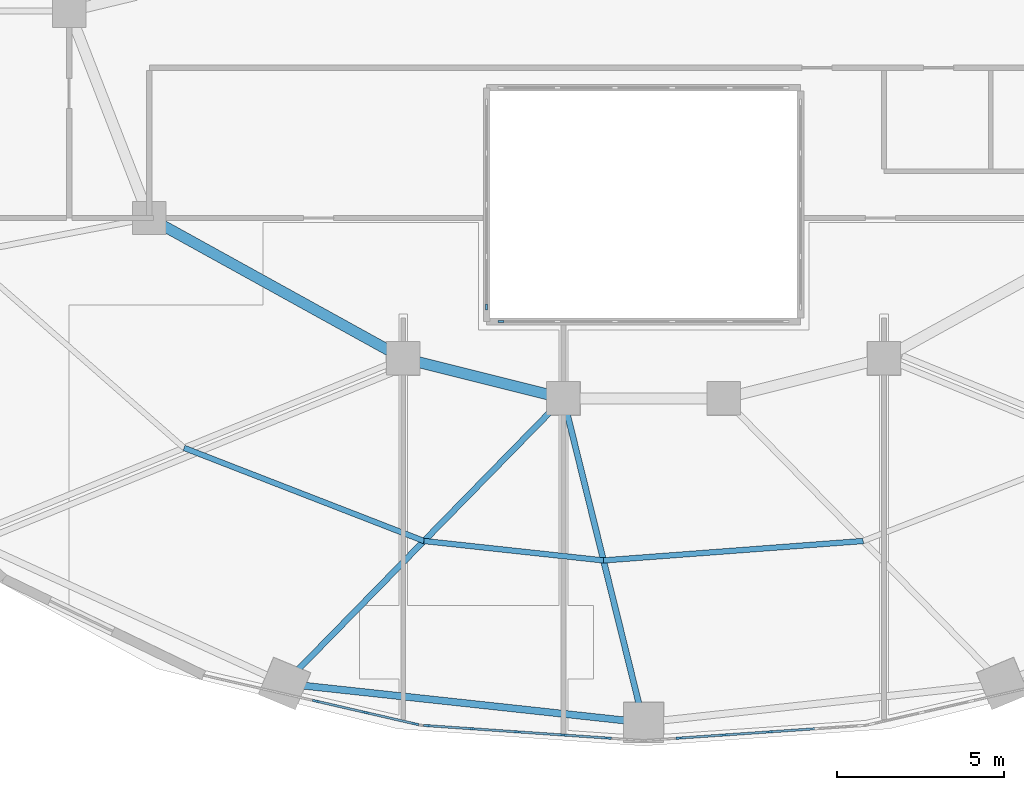
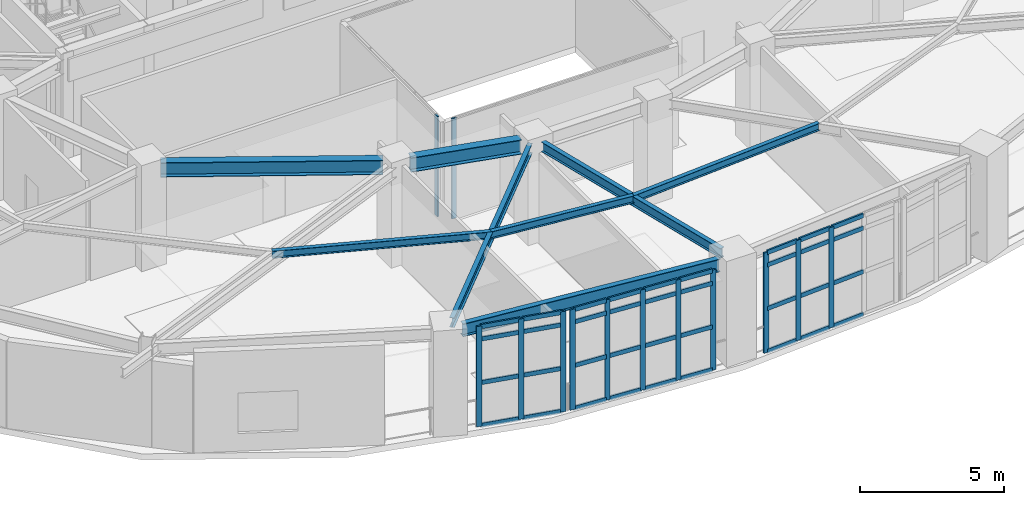
# One storey, part 3 of 13: 49 members, 8 beams, 5 elements without a shape of their own.
"""IFC4 building model written with IfcOpenShell, lengths in metres."""

from ifc_helpers import new_model, si_unit, direction, frame, origin, origin_2d, place, context, subcontext, project, spatial, rectangle, i_section, extrude, material, material_profile, profile_set, type_object, element, aggregate, save


model = new_model("IFC4")

# Units and contexts
model_context = context("Model", 3, precision=1e-05, world=origin(), true_north=direction((0.0, 1.0)))
body_context = subcontext(model_context, "Body", "Model", "MODEL_VIEW")
ifc_project = project(units=[si_unit("LENGTHUNIT", "METRE"), si_unit("AREAUNIT", "SQUARE_METRE"), si_unit("VOLUMEUNIT", "CUBIC_METRE"), si_unit("PLANEANGLEUNIT", "RADIAN"), si_unit("MASSUNIT", "GRAM", prefix="KILO")], contexts=[model_context])

# Site, building, storey
site_placement = place(None, origin())
site = spatial("IfcSite", under=ifc_project, at=site_placement, CompositionType="ELEMENT")
building_placement = place(site_placement, origin())
building = spatial("IfcBuilding", under=site, at=building_placement, Name="Haldorwick Loom Tower", CompositionType="ELEMENT")
storey_placement = place(building_placement, frame((0.0, 0.0, 188.949951171875)))
storey = spatial("IfcBuildingStorey", under=building, at=storey_placement, Name="L51", CompositionType="ELEMENT", Elevation=188.949951171875)

# Curtain wall, member
ifc_material_1 = material(Name="Thermally Broken Anodized Aluminium Curtain Wall Framing", Category="aluminium")
curtain_wall_type_1 = type_object("IfcCurtainWallType", Name="ARC-CW-03", PredefinedType="NOTDEFINED", material=ifc_material_1)
curtain_wall_1_placement = place(storey_placement, origin())
curtain_wall_1 = element("IfcCurtainWall", 1, at=curtain_wall_1_placement, inside=storey, type_object=curtain_wall_type_1, Name="L51 Atrium Glazed Screen S", PredefinedType="NOTDEFINED")
ifc_material_profile_1 = material_profile(ifc_material_1, rectangle(XDim=0.06591796875, YDim=0.18505859375, at=origin_2d()), Name="ALU_MUL_66X185", Category="aluminium")
ifc_profile_set_1 = profile_set([ifc_material_profile_1], Name="Thermally Broken Anodized Aluminium Curtain Wall Framing")
member_type_1 = type_object("IfcMemberType", Name="ARC-CWM-03", PredefinedType="MULLION", material=ifc_profile_set_1)
member_1_placement = place(storey_placement, frame((31.73291015625, 16.699951171875, 0.0), z_axis=(0.0, 0.0, 1.0), x_axis=(0.0, -1.0, 0.0)))
member_1 = element("IfcMember", 2, at=member_1_placement, type_object=member_type_1, Name="CW-03 mullion 6", PredefinedType="MULLION", context=body_context, shape_type="SweptSolid", body=[
    extrude(rectangle(XDim=0.06591796875, YDim=0.18505859375, at=origin_2d()), origin(), (0.0, 0.0, 1.0), 4.260009765625),
])
aggregate(curtain_wall_1, [member_1])

curtain_wall_2_placement = place(storey_placement, origin())
curtain_wall_2 = element("IfcCurtainWall", 3, at=curtain_wall_2_placement, inside=storey, type_object=curtain_wall_type_1, Name="L51 Atrium Glazed Screen W", PredefinedType="NOTDEFINED")
member_2_placement = place(storey_placement, frame((31.300048828125, 17.133056640625, 0.0), z_axis=(0.0, 0.0, 1.0), x_axis=(-1.0, 0.0, 0.0)))
member_2 = element("IfcMember", 4, at=member_2_placement, type_object=member_type_1, Name="CW-03 mullion 1", PredefinedType="MULLION", context=body_context, shape_type="SweptSolid", body=[
    extrude(rectangle(XDim=0.06591796875, YDim=0.18505859375, at=origin_2d()), origin(), (0.0, 0.0, 1.0), 4.260009765625),
])
aggregate(curtain_wall_2, [member_2])

# Curtain wall, members
curtain_wall_type_2 = type_object("IfcCurtainWallType", Name="ARC-CW-05", PredefinedType="NOTDEFINED", material=ifc_material_1)
curtain_wall_3_placement = place(storey_placement, origin())
curtain_wall_3 = element("IfcCurtainWall", 5, at=curtain_wall_3_placement, inside=storey, type_object=curtain_wall_type_2, Name="L51 Facade Curtain Wall CW-05 Bay 17", PredefinedType="NOTDEFINED")
ifc_material_profile_2 = material_profile(ifc_material_1, rectangle(XDim=0.068115234375, YDim=0.201904296875, at=origin_2d()), Name="ALU_MUL_68X202", Category="aluminium")
ifc_profile_set_2 = profile_set([ifc_material_profile_2], Name="Thermally Broken Anodized Aluminium Curtain Wall Framing")
member_type_2 = type_object("IfcMemberType", Name="ARC-CWM-05", PredefinedType="MULLION", material=ifc_profile_set_2)
member_3_placement = place(storey_placement, frame((26.187255859375, 5.336669921875, 0.0), z_axis=(0.0, 0.0, 1.0), x_axis=(0.224141611493, 0.974556585323, 0.0)))
member_3 = element("IfcMember", 6, at=member_3_placement, type_object=member_type_2, Name="CW-05 mullion 1", PredefinedType="MULLION", context=body_context, shape_type="SweptSolid", body=[
    extrude(rectangle(XDim=0.068115234375, YDim=0.201904296875, at=origin_2d()), origin(), (0.0, 0.0, 1.0), 4.260009765625),
])
member_4_placement = place(storey_placement, frame((27.67626953125, 4.994140625, 0.0), z_axis=(0.0, 0.0, 1.0), x_axis=(0.224141611493, 0.974556585323, 0.0)))
member_4 = element("IfcMember", 7, at=member_4_placement, type_object=member_type_2, Name="CW-05 mullion 2", PredefinedType="MULLION", context=body_context, shape_type="SweptSolid", body=[
    extrude(rectangle(XDim=0.068115234375, YDim=0.201904296875, at=origin_2d()), origin(), (0.0, 0.0, 1.0), 4.260009765625),
])
member_5_placement = place(storey_placement, frame((29.1650390625, 4.65185546875, 0.0), z_axis=(0.0, 0.0, 1.0), x_axis=(0.224141611493, 0.974556585323, 0.0)))
member_5 = element("IfcMember", 8, at=member_5_placement, type_object=member_type_2, Name="CW-05 mullion 3", PredefinedType="MULLION", context=body_context, shape_type="SweptSolid", body=[
    extrude(rectangle(XDim=0.068115234375, YDim=0.201904296875, at=origin_2d()), origin(), (0.0, 0.0, 1.0), 4.260009765625),
])

curtain_wall_4_placement = place(storey_placement, origin())
curtain_wall_4 = element("IfcCurtainWall", 9, at=curtain_wall_4_placement, inside=storey, type_object=curtain_wall_type_2, Name="L51 Facade Curtain Wall CW-05 Bay 18", PredefinedType="NOTDEFINED")
member_6_placement = place(storey_placement, frame((29.50830078125, 4.600830078125, 0.0), z_axis=(0.0, 0.0, 1.0), x_axis=(0.068513392431, 0.997650196741, 0.0)))
member_6 = element("IfcMember", 10, at=member_6_placement, type_object=member_type_2, Name="CW-05 mullion 1", PredefinedType="MULLION", context=body_context, shape_type="SweptSolid", body=[
    extrude(rectangle(XDim=0.068115234375, YDim=0.201904296875, at=origin_2d()), origin(), (0.0, 0.0, 1.0), 4.260009765625),
])
member_7_placement = place(storey_placement, frame((30.84716796875, 4.509033203125, 0.0), z_axis=(0.0, 0.0, 1.0), x_axis=(0.068513392431, 0.997650196741, 0.0)))
member_7 = element("IfcMember", 11, at=member_7_placement, type_object=member_type_2, Name="CW-05 mullion 2", PredefinedType="MULLION", context=body_context, shape_type="SweptSolid", body=[
    extrude(rectangle(XDim=0.068115234375, YDim=0.201904296875, at=origin_2d()), origin(), (0.0, 0.0, 1.0), 4.260009765625),
])
member_8_placement = place(storey_placement, frame((32.219970703125, 4.41455078125, 0.0), z_axis=(0.0, 0.0, 1.0), x_axis=(0.068513392431, 0.997650196741, 0.0)))
member_8 = element("IfcMember", 12, at=member_8_placement, type_object=member_type_2, Name="CW-05 mullion 3", PredefinedType="MULLION", context=body_context, shape_type="SweptSolid", body=[
    extrude(rectangle(XDim=0.068115234375, YDim=0.201904296875, at=origin_2d()), origin(), (0.0, 0.0, 1.0), 4.260009765625),
])
member_9_placement = place(storey_placement, frame((33.592529296875, 4.3203125, 0.0), z_axis=(0.0, 0.0, 1.0), x_axis=(0.068513392431, 0.997650196741, 0.0)))
member_9 = element("IfcMember", 13, at=member_9_placement, type_object=member_type_2, Name="CW-05 mullion 4", PredefinedType="MULLION", context=body_context, shape_type="SweptSolid", body=[
    extrude(rectangle(XDim=0.068115234375, YDim=0.201904296875, at=origin_2d()), origin(), (0.0, 0.0, 1.0), 4.260009765625),
])
member_10_placement = place(storey_placement, frame((34.931396484375, 4.228515625, 0.0), z_axis=(0.0, 0.0, 1.0), x_axis=(0.068513392431, 0.997650196741, 0.0)))
member_10 = element("IfcMember", 14, at=member_10_placement, type_object=member_type_2, Name="CW-05 mullion 5", PredefinedType="MULLION", context=body_context, shape_type="SweptSolid", body=[
    extrude(rectangle(XDim=0.068115234375, YDim=0.201904296875, at=origin_2d()), origin(), (0.0, 0.0, 1.0), 4.260009765625),
])

curtain_wall_5_placement = place(storey_placement, origin())
curtain_wall_5 = element("IfcCurtainWall", 15, at=curtain_wall_5_placement, inside=storey, type_object=curtain_wall_type_2, Name="L51 Facade Curtain Wall CW-05 Bay 19", PredefinedType="NOTDEFINED")
member_11_placement = place(storey_placement, frame((37.068603515625, 4.228515625, 0.0), z_axis=(0.0, 0.0, 1.0), x_axis=(-0.068513392431, 0.997650196741, 0.0)))
member_11 = element("IfcMember", 16, at=member_11_placement, type_object=member_type_2, Name="CW-05 mullion 1", PredefinedType="MULLION", context=body_context, shape_type="SweptSolid", body=[
    extrude(rectangle(XDim=0.068115234375, YDim=0.201904296875, at=origin_2d()), origin(), (0.0, 0.0, 1.0), 4.260009765625),
])
member_12_placement = place(storey_placement, frame((38.407470703125, 4.3203125, 0.0), z_axis=(0.0, 0.0, 1.0), x_axis=(-0.068513392431, 0.997650196741, 0.0)))
member_12 = element("IfcMember", 17, at=member_12_placement, type_object=member_type_2, Name="CW-05 mullion 2", PredefinedType="MULLION", context=body_context, shape_type="SweptSolid", body=[
    extrude(rectangle(XDim=0.068115234375, YDim=0.201904296875, at=origin_2d()), origin(), (0.0, 0.0, 1.0), 4.260009765625),
])
member_13_placement = place(storey_placement, frame((39.780029296875, 4.41455078125, 0.0), z_axis=(0.0, 0.0, 1.0), x_axis=(-0.068513392431, 0.997650196741, 0.0)))
member_13 = element("IfcMember", 18, at=member_13_placement, type_object=member_type_2, Name="CW-05 mullion 3", PredefinedType="MULLION", context=body_context, shape_type="SweptSolid", body=[
    extrude(rectangle(XDim=0.068115234375, YDim=0.201904296875, at=origin_2d()), origin(), (0.0, 0.0, 1.0), 4.260009765625),
])

# Member
ifc_material_profile_3 = material_profile(ifc_material_1, rectangle(XDim=0.068115234375, YDim=0.181884765625, at=origin_2d()), Name="ALU_TRN_68X182", Category="aluminium")
ifc_profile_set_3 = profile_set([ifc_material_profile_3], Name="Thermally Broken Anodized Aluminium Curtain Wall Framing")
member_type_3 = type_object("IfcMemberType", Name="ARC-CWT-05", PredefinedType="USERDEFINED", material=ifc_profile_set_3)
member_14_placement = place(storey_placement, frame((26.220458984375, 5.3291015625, 0.033935546875), z_axis=(0.974562858331, -0.22411433502, 0.0), x_axis=(0.22411433502, 0.974562858331, 0.0)))
member_14 = element("IfcMember", 19, at=member_14_placement, type_object=member_type_3, Name="CW-05 transom 1.1", ObjectType="TRANSOM", PredefinedType="USERDEFINED", context=body_context, shape_type="SweptSolid", body=[
    extrude(rectangle(XDim=0.068115234375, YDim=0.181884765625, at=origin_2d()), origin(), (0.0, 0.0, 1.0), 1.459716796875),
])

member_15_placement = place(storey_placement, frame((26.220458984375, 5.3291015625, 1.85009765625), z_axis=(0.974562858331, -0.22411433502, 0.0), x_axis=(0.22411433502, 0.974562858331, 0.0)))
member_15 = element("IfcMember", 20, at=member_15_placement, type_object=member_type_3, Name="CW-05 transom 1.2", ObjectType="TRANSOM", PredefinedType="USERDEFINED", context=body_context, shape_type="SweptSolid", body=[
    extrude(rectangle(XDim=0.068115234375, YDim=0.181884765625, at=origin_2d()), origin(), (0.0, 0.0, 1.0), 1.459716796875),
])

member_16_placement = place(storey_placement, frame((26.220458984375, 5.3291015625, 3.699951171875), z_axis=(0.974562858331, -0.22411433502, 0.0), x_axis=(0.22411433502, 0.974562858331, 0.0)))
member_16 = element("IfcMember", 21, at=member_16_placement, type_object=member_type_3, Name="CW-05 transom 1.3", ObjectType="TRANSOM", PredefinedType="USERDEFINED", context=body_context, shape_type="SweptSolid", body=[
    extrude(rectangle(XDim=0.068115234375, YDim=0.181884765625, at=origin_2d()), origin(), (0.0, 0.0, 1.0), 1.459716796875),
])

member_17_placement = place(storey_placement, frame((26.220458984375, 5.3291015625, 4.22607421875), z_axis=(0.974562858331, -0.22411433502, 0.0), x_axis=(0.22411433502, 0.974562858331, 0.0)))
member_17 = element("IfcMember", 22, at=member_17_placement, type_object=member_type_3, Name="CW-05 transom 1.4", ObjectType="TRANSOM", PredefinedType="USERDEFINED", context=body_context, shape_type="SweptSolid", body=[
    extrude(rectangle(XDim=0.068115234375, YDim=0.181884765625, at=origin_2d()), origin(), (0.0, 0.0, 1.0), 1.459716796875),
])

member_18_placement = place(storey_placement, frame((27.709228515625, 4.986572265625, 0.033935546875), z_axis=(0.974562858331, -0.22411433502, 0.0), x_axis=(0.22411433502, 0.974562858331, 0.0)))
member_18 = element("IfcMember", 23, at=member_18_placement, type_object=member_type_3, Name="CW-05 transom 2.1", ObjectType="TRANSOM", PredefinedType="USERDEFINED", context=body_context, shape_type="SweptSolid", body=[
    extrude(rectangle(XDim=0.068115234375, YDim=0.181884765625, at=origin_2d()), origin(), (0.0, 0.0, 1.0), 1.459716796875),
])

member_19_placement = place(storey_placement, frame((27.709228515625, 4.986572265625, 1.85009765625), z_axis=(0.974562858331, -0.22411433502, 0.0), x_axis=(0.22411433502, 0.974562858331, 0.0)))
member_19 = element("IfcMember", 24, at=member_19_placement, type_object=member_type_3, Name="CW-05 transom 2.2", ObjectType="TRANSOM", PredefinedType="USERDEFINED", context=body_context, shape_type="SweptSolid", body=[
    extrude(rectangle(XDim=0.068115234375, YDim=0.181884765625, at=origin_2d()), origin(), (0.0, 0.0, 1.0), 1.459716796875),
])

member_20_placement = place(storey_placement, frame((27.709228515625, 4.986572265625, 3.699951171875), z_axis=(0.974562858331, -0.22411433502, 0.0), x_axis=(0.22411433502, 0.974562858331, 0.0)))
member_20 = element("IfcMember", 25, at=member_20_placement, type_object=member_type_3, Name="CW-05 transom 2.3", ObjectType="TRANSOM", PredefinedType="USERDEFINED", context=body_context, shape_type="SweptSolid", body=[
    extrude(rectangle(XDim=0.068115234375, YDim=0.181884765625, at=origin_2d()), origin(), (0.0, 0.0, 1.0), 1.459716796875),
])

member_21_placement = place(storey_placement, frame((27.709228515625, 4.986572265625, 4.22607421875), z_axis=(0.974562858331, -0.22411433502, 0.0), x_axis=(0.22411433502, 0.974562858331, 0.0)))
member_21 = element("IfcMember", 26, at=member_21_placement, type_object=member_type_3, Name="CW-05 transom 2.4", ObjectType="TRANSOM", PredefinedType="USERDEFINED", context=body_context, shape_type="SweptSolid", body=[
    extrude(rectangle(XDim=0.068115234375, YDim=0.181884765625, at=origin_2d()), origin(), (0.0, 0.0, 1.0), 1.459716796875),
])

aggregate(curtain_wall_3, [member_3, member_4, member_5, member_14, member_15, member_16, member_17, member_18, member_19, member_20, member_21])

member_22_placement = place(storey_placement, frame((29.542236328125, 4.5986328125, 0.033935546875), z_axis=(0.997643916024, -0.068604787156, 0.0), x_axis=(0.068604787156, 0.997643916024, 0.0)))
member_22 = element("IfcMember", 27, at=member_22_placement, type_object=member_type_3, Name="CW-05 transom 1.1", ObjectType="TRANSOM", PredefinedType="USERDEFINED", context=body_context, shape_type="SweptSolid", body=[
    extrude(rectangle(XDim=0.068115234375, YDim=0.181884765625, at=origin_2d()), origin(), (0.0, 0.0, 1.0), 1.27392578125),
])

member_23_placement = place(storey_placement, frame((29.542236328125, 4.5986328125, 1.85009765625), z_axis=(0.997643916024, -0.068604787156, 0.0), x_axis=(0.068604787156, 0.997643916024, 0.0)))
member_23 = element("IfcMember", 28, at=member_23_placement, type_object=member_type_3, Name="CW-05 transom 1.2", ObjectType="TRANSOM", PredefinedType="USERDEFINED", context=body_context, shape_type="SweptSolid", body=[
    extrude(rectangle(XDim=0.068115234375, YDim=0.181884765625, at=origin_2d()), origin(), (0.0, 0.0, 1.0), 1.27392578125),
])

member_24_placement = place(storey_placement, frame((29.542236328125, 4.5986328125, 3.699951171875), z_axis=(0.997643916024, -0.068604787156, 0.0), x_axis=(0.068604787156, 0.997643916024, 0.0)))
member_24 = element("IfcMember", 29, at=member_24_placement, type_object=member_type_3, Name="CW-05 transom 1.3", ObjectType="TRANSOM", PredefinedType="USERDEFINED", context=body_context, shape_type="SweptSolid", body=[
    extrude(rectangle(XDim=0.068115234375, YDim=0.181884765625, at=origin_2d()), origin(), (0.0, 0.0, 1.0), 1.27392578125),
])

member_25_placement = place(storey_placement, frame((29.542236328125, 4.5986328125, 4.22607421875), z_axis=(0.997643916024, -0.068604787156, 0.0), x_axis=(0.068604787156, 0.997643916024, 0.0)))
member_25 = element("IfcMember", 30, at=member_25_placement, type_object=member_type_3, Name="CW-05 transom 1.4", ObjectType="TRANSOM", PredefinedType="USERDEFINED", context=body_context, shape_type="SweptSolid", body=[
    extrude(rectangle(XDim=0.068115234375, YDim=0.181884765625, at=origin_2d()), origin(), (0.0, 0.0, 1.0), 1.27392578125),
])

member_26_placement = place(storey_placement, frame((30.881103515625, 4.506591796875, 0.033935546875), z_axis=(0.997651046567, -0.068501016668, 0.0), x_axis=(0.068501016668, 0.997651046567, 0.0)))
member_26 = element("IfcMember", 31, at=member_26_placement, type_object=member_type_3, Name="CW-05 transom 2.1", ObjectType="TRANSOM", PredefinedType="USERDEFINED", context=body_context, shape_type="SweptSolid", body=[
    extrude(rectangle(XDim=0.068115234375, YDim=0.181884765625, at=origin_2d()), origin(), (0.0, 0.0, 1.0), 1.30810546875),
])

member_27_placement = place(storey_placement, frame((30.881103515625, 4.506591796875, 1.85009765625), z_axis=(0.997651046567, -0.068501016668, 0.0), x_axis=(0.068501016668, 0.997651046567, 0.0)))
member_27 = element("IfcMember", 32, at=member_27_placement, type_object=member_type_3, Name="CW-05 transom 2.2", ObjectType="TRANSOM", PredefinedType="USERDEFINED", context=body_context, shape_type="SweptSolid", body=[
    extrude(rectangle(XDim=0.068115234375, YDim=0.181884765625, at=origin_2d()), origin(), (0.0, 0.0, 1.0), 1.30810546875),
])

member_28_placement = place(storey_placement, frame((30.881103515625, 4.506591796875, 3.699951171875), z_axis=(0.997651046567, -0.068501016668, 0.0), x_axis=(0.068501016668, 0.997651046567, 0.0)))
member_28 = element("IfcMember", 33, at=member_28_placement, type_object=member_type_3, Name="CW-05 transom 2.3", ObjectType="TRANSOM", PredefinedType="USERDEFINED", context=body_context, shape_type="SweptSolid", body=[
    extrude(rectangle(XDim=0.068115234375, YDim=0.181884765625, at=origin_2d()), origin(), (0.0, 0.0, 1.0), 1.30810546875),
])

member_29_placement = place(storey_placement, frame((30.881103515625, 4.506591796875, 4.22607421875), z_axis=(0.997651046567, -0.068501016668, 0.0), x_axis=(0.068501016668, 0.997651046567, 0.0)))
member_29 = element("IfcMember", 34, at=member_29_placement, type_object=member_type_3, Name="CW-05 transom 2.4", ObjectType="TRANSOM", PredefinedType="USERDEFINED", context=body_context, shape_type="SweptSolid", body=[
    extrude(rectangle(XDim=0.068115234375, YDim=0.181884765625, at=origin_2d()), origin(), (0.0, 0.0, 1.0), 1.30810546875),
])

member_30_placement = place(storey_placement, frame((32.253662109375, 4.412353515625, 0.033935546875), z_axis=(0.997651046567, -0.068501016668, 0.0), x_axis=(0.068501016668, 0.997651046567, 0.0)))
member_30 = element("IfcMember", 35, at=member_30_placement, type_object=member_type_3, Name="CW-05 transom 3.1", ObjectType="TRANSOM", PredefinedType="USERDEFINED", context=body_context, shape_type="SweptSolid", body=[
    extrude(rectangle(XDim=0.068115234375, YDim=0.181884765625, at=origin_2d()), origin(), (0.0, 0.0, 1.0), 1.30810546875),
])

member_31_placement = place(storey_placement, frame((32.253662109375, 4.412353515625, 1.85009765625), z_axis=(0.997651046567, -0.068501016668, 0.0), x_axis=(0.068501016668, 0.997651046567, 0.0)))
member_31 = element("IfcMember", 36, at=member_31_placement, type_object=member_type_3, Name="CW-05 transom 3.2", ObjectType="TRANSOM", PredefinedType="USERDEFINED", context=body_context, shape_type="SweptSolid", body=[
    extrude(rectangle(XDim=0.068115234375, YDim=0.181884765625, at=origin_2d()), origin(), (0.0, 0.0, 1.0), 1.30810546875),
])

member_32_placement = place(storey_placement, frame((32.253662109375, 4.412353515625, 3.699951171875), z_axis=(0.997651046567, -0.068501016668, 0.0), x_axis=(0.068501016668, 0.997651046567, 0.0)))
member_32 = element("IfcMember", 37, at=member_32_placement, type_object=member_type_3, Name="CW-05 transom 3.3", ObjectType="TRANSOM", PredefinedType="USERDEFINED", context=body_context, shape_type="SweptSolid", body=[
    extrude(rectangle(XDim=0.068115234375, YDim=0.181884765625, at=origin_2d()), origin(), (0.0, 0.0, 1.0), 1.30810546875),
])

member_33_placement = place(storey_placement, frame((32.253662109375, 4.412353515625, 4.22607421875), z_axis=(0.997651046567, -0.068501016668, 0.0), x_axis=(0.068501016668, 0.997651046567, 0.0)))
member_33 = element("IfcMember", 38, at=member_33_placement, type_object=member_type_3, Name="CW-05 transom 3.4", ObjectType="TRANSOM", PredefinedType="USERDEFINED", context=body_context, shape_type="SweptSolid", body=[
    extrude(rectangle(XDim=0.068115234375, YDim=0.181884765625, at=origin_2d()), origin(), (0.0, 0.0, 1.0), 1.30810546875),
])

member_34_placement = place(storey_placement, frame((33.62646484375, 4.318115234375, 0.033935546875), z_axis=(0.997643916024, -0.068604787156, 0.0), x_axis=(0.068604787156, 0.997643916024, 0.0)))
member_34 = element("IfcMember", 39, at=member_34_placement, type_object=member_type_3, Name="CW-05 transom 4.1", ObjectType="TRANSOM", PredefinedType="USERDEFINED", context=body_context, shape_type="SweptSolid", body=[
    extrude(rectangle(XDim=0.068115234375, YDim=0.181884765625, at=origin_2d()), origin(), (0.0, 0.0, 1.0), 1.27392578125),
])

member_35_placement = place(storey_placement, frame((33.62646484375, 4.318115234375, 1.85009765625), z_axis=(0.997643916024, -0.068604787156, 0.0), x_axis=(0.068604787156, 0.997643916024, 0.0)))
member_35 = element("IfcMember", 40, at=member_35_placement, type_object=member_type_3, Name="CW-05 transom 4.2", ObjectType="TRANSOM", PredefinedType="USERDEFINED", context=body_context, shape_type="SweptSolid", body=[
    extrude(rectangle(XDim=0.068115234375, YDim=0.181884765625, at=origin_2d()), origin(), (0.0, 0.0, 1.0), 1.27392578125),
])

member_36_placement = place(storey_placement, frame((33.62646484375, 4.318115234375, 3.699951171875), z_axis=(0.997643916024, -0.068604787156, 0.0), x_axis=(0.068604787156, 0.997643916024, 0.0)))
member_36 = element("IfcMember", 41, at=member_36_placement, type_object=member_type_3, Name="CW-05 transom 4.3", ObjectType="TRANSOM", PredefinedType="USERDEFINED", context=body_context, shape_type="SweptSolid", body=[
    extrude(rectangle(XDim=0.068115234375, YDim=0.181884765625, at=origin_2d()), origin(), (0.0, 0.0, 1.0), 1.27392578125),
])

member_37_placement = place(storey_placement, frame((33.62646484375, 4.318115234375, 4.22607421875), z_axis=(0.997643916024, -0.068604787156, 0.0), x_axis=(0.068604787156, 0.997643916024, 0.0)))
member_37 = element("IfcMember", 42, at=member_37_placement, type_object=member_type_3, Name="CW-05 transom 4.4", ObjectType="TRANSOM", PredefinedType="USERDEFINED", context=body_context, shape_type="SweptSolid", body=[
    extrude(rectangle(XDim=0.068115234375, YDim=0.181884765625, at=origin_2d()), origin(), (0.0, 0.0, 1.0), 1.27392578125),
])

aggregate(curtain_wall_4, [member_6, member_7, member_8, member_9, member_10, member_22, member_23, member_24, member_25, member_26, member_27, member_28, member_29, member_30, member_31, member_32, member_33, member_34, member_35, member_36, member_37])

member_38_placement = place(storey_placement, frame((37.1025390625, 4.230712890625, 0.033935546875), z_axis=(0.997643916024, 0.068604787156, 0.0), x_axis=(-0.068604787156, 0.997643916024, 0.0)))
member_38 = element("IfcMember", 43, at=member_38_placement, type_object=member_type_3, Name="CW-05 transom 1.1", ObjectType="TRANSOM", PredefinedType="USERDEFINED", context=body_context, shape_type="SweptSolid", body=[
    extrude(rectangle(XDim=0.068115234375, YDim=0.181884765625, at=origin_2d()), origin(), (0.0, 0.0, 1.0), 1.27392578125),
])

member_39_placement = place(storey_placement, frame((37.1025390625, 4.230712890625, 1.85009765625), z_axis=(0.997643916024, 0.068604787156, 0.0), x_axis=(-0.068604787156, 0.997643916024, 0.0)))
member_39 = element("IfcMember", 44, at=member_39_placement, type_object=member_type_3, Name="CW-05 transom 1.2", ObjectType="TRANSOM", PredefinedType="USERDEFINED", context=body_context, shape_type="SweptSolid", body=[
    extrude(rectangle(XDim=0.068115234375, YDim=0.181884765625, at=origin_2d()), origin(), (0.0, 0.0, 1.0), 1.27392578125),
])

member_40_placement = place(storey_placement, frame((37.1025390625, 4.230712890625, 3.699951171875), z_axis=(0.997643916024, 0.068604787156, 0.0), x_axis=(-0.068604787156, 0.997643916024, 0.0)))
member_40 = element("IfcMember", 45, at=member_40_placement, type_object=member_type_3, Name="CW-05 transom 1.3", ObjectType="TRANSOM", PredefinedType="USERDEFINED", context=body_context, shape_type="SweptSolid", body=[
    extrude(rectangle(XDim=0.068115234375, YDim=0.181884765625, at=origin_2d()), origin(), (0.0, 0.0, 1.0), 1.27392578125),
])

member_41_placement = place(storey_placement, frame((37.1025390625, 4.230712890625, 4.22607421875), z_axis=(0.997643916024, 0.068604787156, 0.0), x_axis=(-0.068604787156, 0.997643916024, 0.0)))
member_41 = element("IfcMember", 46, at=member_41_placement, type_object=member_type_3, Name="CW-05 transom 1.4", ObjectType="TRANSOM", PredefinedType="USERDEFINED", context=body_context, shape_type="SweptSolid", body=[
    extrude(rectangle(XDim=0.068115234375, YDim=0.181884765625, at=origin_2d()), origin(), (0.0, 0.0, 1.0), 1.27392578125),
])

member_42_placement = place(storey_placement, frame((38.44140625, 4.32275390625, 0.033935546875), z_axis=(0.997651046567, 0.068501016668, 0.0), x_axis=(-0.068501016668, 0.997651046567, 0.0)))
member_42 = element("IfcMember", 47, at=member_42_placement, type_object=member_type_3, Name="CW-05 transom 2.1", ObjectType="TRANSOM", PredefinedType="USERDEFINED", context=body_context, shape_type="SweptSolid", body=[
    extrude(rectangle(XDim=0.068115234375, YDim=0.181884765625, at=origin_2d()), origin(), (0.0, 0.0, 1.0), 1.30810546875),
])

member_43_placement = place(storey_placement, frame((38.44140625, 4.32275390625, 1.85009765625), z_axis=(0.997651046567, 0.068501016668, 0.0), x_axis=(-0.068501016668, 0.997651046567, 0.0)))
member_43 = element("IfcMember", 48, at=member_43_placement, type_object=member_type_3, Name="CW-05 transom 2.2", ObjectType="TRANSOM", PredefinedType="USERDEFINED", context=body_context, shape_type="SweptSolid", body=[
    extrude(rectangle(XDim=0.068115234375, YDim=0.181884765625, at=origin_2d()), origin(), (0.0, 0.0, 1.0), 1.30810546875),
])

member_44_placement = place(storey_placement, frame((38.44140625, 4.32275390625, 3.699951171875), z_axis=(0.997651046567, 0.068501016668, 0.0), x_axis=(-0.068501016668, 0.997651046567, 0.0)))
member_44 = element("IfcMember", 49, at=member_44_placement, type_object=member_type_3, Name="CW-05 transom 2.3", ObjectType="TRANSOM", PredefinedType="USERDEFINED", context=body_context, shape_type="SweptSolid", body=[
    extrude(rectangle(XDim=0.068115234375, YDim=0.181884765625, at=origin_2d()), origin(), (0.0, 0.0, 1.0), 1.30810546875),
])

member_45_placement = place(storey_placement, frame((38.44140625, 4.32275390625, 4.22607421875), z_axis=(0.997651046567, 0.068501016668, 0.0), x_axis=(-0.068501016668, 0.997651046567, 0.0)))
member_45 = element("IfcMember", 50, at=member_45_placement, type_object=member_type_3, Name="CW-05 transom 2.4", ObjectType="TRANSOM", PredefinedType="USERDEFINED", context=body_context, shape_type="SweptSolid", body=[
    extrude(rectangle(XDim=0.068115234375, YDim=0.181884765625, at=origin_2d()), origin(), (0.0, 0.0, 1.0), 1.30810546875),
])

member_46_placement = place(storey_placement, frame((39.81396484375, 4.4169921875, 0.033935546875), z_axis=(0.997651046567, 0.068501016668, 0.0), x_axis=(-0.068501016668, 0.997651046567, 0.0)))
member_46 = element("IfcMember", 51, at=member_46_placement, type_object=member_type_3, Name="CW-05 transom 3.1", ObjectType="TRANSOM", PredefinedType="USERDEFINED", context=body_context, shape_type="SweptSolid", body=[
    extrude(rectangle(XDim=0.068115234375, YDim=0.181884765625, at=origin_2d()), origin(), (0.0, 0.0, 1.0), 1.30810546875),
])

member_47_placement = place(storey_placement, frame((39.81396484375, 4.4169921875, 1.85009765625), z_axis=(0.997651046567, 0.068501016668, 0.0), x_axis=(-0.068501016668, 0.997651046567, 0.0)))
member_47 = element("IfcMember", 52, at=member_47_placement, type_object=member_type_3, Name="CW-05 transom 3.2", ObjectType="TRANSOM", PredefinedType="USERDEFINED", context=body_context, shape_type="SweptSolid", body=[
    extrude(rectangle(XDim=0.068115234375, YDim=0.181884765625, at=origin_2d()), origin(), (0.0, 0.0, 1.0), 1.30810546875),
])

member_48_placement = place(storey_placement, frame((39.81396484375, 4.4169921875, 3.699951171875), z_axis=(0.997651046567, 0.068501016668, 0.0), x_axis=(-0.068501016668, 0.997651046567, 0.0)))
member_48 = element("IfcMember", 53, at=member_48_placement, type_object=member_type_3, Name="CW-05 transom 3.3", ObjectType="TRANSOM", PredefinedType="USERDEFINED", context=body_context, shape_type="SweptSolid", body=[
    extrude(rectangle(XDim=0.068115234375, YDim=0.181884765625, at=origin_2d()), origin(), (0.0, 0.0, 1.0), 1.30810546875),
])

member_49_placement = place(storey_placement, frame((39.81396484375, 4.4169921875, 4.22607421875), z_axis=(0.997651046567, 0.068501016668, 0.0), x_axis=(-0.068501016668, 0.997651046567, 0.0)))
member_49 = element("IfcMember", 54, at=member_49_placement, type_object=member_type_3, Name="CW-05 transom 3.4", ObjectType="TRANSOM", PredefinedType="USERDEFINED", context=body_context, shape_type="SweptSolid", body=[
    extrude(rectangle(XDim=0.068115234375, YDim=0.181884765625, at=origin_2d()), origin(), (0.0, 0.0, 1.0), 1.30810546875),
])

aggregate(curtain_wall_5, [member_11, member_12, member_13, member_38, member_39, member_40, member_41, member_42, member_43, member_44, member_45, member_46, member_47, member_48, member_49])

# Beams
ifc_material_2 = material(Name="Steel CSA G40.21 350W", Category="steel")
ifc_material_profile_4 = material_profile(ifc_material_2, i_section(OverallWidth=0.166015625, OverallDepth=0.31298828125, WebThickness=0.006591796875, FlangeThickness=0.01123046875, at=origin_2d()), Name="W310X45", Category="steel")
ifc_profile_set_4 = profile_set([ifc_material_profile_4], Name="Steel CSA G40.21 350W")
beam_type_1 = type_object("IfcBeamType", Name="STR-BM-J310", PredefinedType="JOIST", material=ifc_profile_set_4)
beam_1_placement = place(storey_placement, frame((22.2412109375, 12.91748046875, 4.103515625), z_axis=(0.932232852675, -0.36185896202, 0.0), x_axis=(0.36185896202, 0.932232852675, 0.0)))
element("IfcBeam", 55, at=beam_1_placement, inside=storey, type_object=beam_type_1, Name="L51 Mid-Bay Secondary Joist 11", PredefinedType="JOIST", context=body_context, shape_type="SweptSolid", body=[
    extrude(i_section(OverallWidth=0.166015625, OverallDepth=0.31298828125, WebThickness=0.006591796875, FlangeThickness=0.01123046875, at=origin_2d()), origin(), (0.0, 0.0, 1.0), 7.7041015625),
])
beam_2_placement = place(storey_placement, frame((29.42333984375, 10.129638671875, 4.103515625), z_axis=(0.994191913888, -0.107621737398, 0.0), x_axis=(0.107621737398, 0.994191913888, 0.0)))
element("IfcBeam", 56, at=beam_2_placement, inside=storey, type_object=beam_type_1, Name="L51 Mid-Bay Secondary Joist 12", PredefinedType="JOIST", context=body_context, shape_type="SweptSolid", body=[
    extrude(i_section(OverallWidth=0.166015625, OverallDepth=0.31298828125, WebThickness=0.006591796875, FlangeThickness=0.01123046875, at=origin_2d()), origin(), (0.0, 0.0, 1.0), 5.408203125),
])
beam_3_placement = place(storey_placement, frame((34.800048828125, 9.547607421875, 4.103515625), z_axis=(0.997210913817, 0.074635067923, 0.0), x_axis=(-0.074635067923, 0.997210913817, 0.0)))
element("IfcBeam", 57, at=beam_3_placement, inside=storey, type_object=beam_type_1, Name="L51 Mid-Bay Secondary Joist 13", PredefinedType="JOIST", context=body_context, shape_type="SweptSolid", body=[
    extrude(i_section(OverallWidth=0.166015625, OverallDepth=0.31298828125, WebThickness=0.006591796875, FlangeThickness=0.01123046875, at=origin_2d()), origin(), (0.0, 0.0, 1.0), 7.79833984375),
])
ifc_material_profile_5 = material_profile(ifc_material_2, i_section(OverallWidth=0.179931640625, OverallDepth=0.4130859375, WebThickness=0.009765625, FlangeThickness=0.01611328125, at=origin_2d()), Name="W410X74", Category="steel")
ifc_profile_set_5 = profile_set([ifc_material_profile_5], Name="Steel CSA G40.21 350W")
beam_type_2 = type_object("IfcBeamType", Name="STR-BM-J410", PredefinedType="JOIST", material=ifc_profile_set_5)
beam_4_placement = place(storey_placement, frame((33.267822265625, 14.060302734375, 4.053466796875), z_axis=(-0.699238682239, -0.714888288658, 0.0), x_axis=(0.714888288658, -0.699238682239, 0.0)))
element("IfcBeam", 58, at=beam_4_placement, inside=storey, type_object=beam_type_2, Name="L51 Radial Floor Girder 12", PredefinedType="JOIST", context=body_context, shape_type="SweptSolid", body=[
    extrude(i_section(OverallWidth=0.179931640625, OverallDepth=0.4130859375, WebThickness=0.009765625, FlangeThickness=0.01611328125, at=origin_2d()), origin(), (0.0, 0.0, 1.0), 10.951416015625),
])
beam_5_placement = place(storey_placement, frame((33.714111328125, 13.93896484375, 4.053466796875), z_axis=(0.240059013303, -0.970758296453, 0.0), x_axis=(0.970758296453, 0.240059013303, 0.0)))
element("IfcBeam", 59, at=beam_5_placement, inside=storey, type_object=beam_type_2, Name="L51 Radial Floor Girder 13", PredefinedType="JOIST", context=body_context, shape_type="SweptSolid", body=[
    extrude(i_section(OverallWidth=0.179931640625, OverallDepth=0.4130859375, WebThickness=0.009765625, FlangeThickness=0.01611328125, at=origin_2d()), origin(), (0.0, 0.0, 1.0), 9.00244140625),
])
ifc_material_profile_6 = material_profile(ifc_material_2, i_section(OverallWidth=0.2119140625, OverallDepth=0.5439453125, WebThickness=0.01318359375, FlangeThickness=0.021240234375, at=origin_2d()), Name="W530X123", Category="steel")
ifc_profile_set_6 = profile_set([ifc_material_profile_6], Name="Steel CSA G40.21 350W")
beam_type_3 = type_object("IfcBeamType", Name="STR-BM-SP530", PredefinedType="SPANDREL", material=ifc_profile_set_6)
beam_6_placement = place(storey_placement, frame((25.763671875, 5.803466796875, 3.988037109375), z_axis=(0.994187774205, -0.107659972233, 0.0), x_axis=(0.107659972233, 0.994187774205, 0.0)))
element("IfcBeam", 60, at=beam_6_placement, inside=storey, type_object=beam_type_3, Name="L51 Perimeter Spandrel 12", PredefinedType="SPANDREL", context=body_context, shape_type="SweptSolid", body=[
    extrude(i_section(OverallWidth=0.2119140625, OverallDepth=0.5439453125, WebThickness=0.01318359375, FlangeThickness=0.021240234375, at=origin_2d()), origin(), (0.0, 0.0, 1.0), 9.776123046875),
])
ifc_material_profile_7 = material_profile(ifc_material_2, i_section(OverallWidth=0.324951171875, OverallDepth=0.615966796875, WebThickness=0.013916015625, FlangeThickness=0.021484375, at=origin_2d()), Name="W610X174", Category="steel")
ifc_profile_set_7 = profile_set([ifc_material_profile_7], Name="Steel CSA G40.21 350W")
beam_type_4 = type_object("IfcBeamType", Name="STR-BM-W610A", PredefinedType="BEAM", material=ifc_profile_set_7)
beam_7_placement = place(storey_placement, frame((33.13916015625, 14.51513671875, 3.9521484375), z_axis=(-0.970135315182, 0.242564363081, 0.0), x_axis=(-0.242564363081, -0.970135315182, 0.0)))
element("IfcBeam", 61, at=beam_7_placement, inside=storey, type_object=beam_type_4, Name="L51 Inner Ring Girder 6", PredefinedType="BEAM", context=body_context, shape_type="SweptSolid", body=[
    extrude(i_section(OverallWidth=0.324951171875, OverallDepth=0.615966796875, WebThickness=0.013916015625, FlangeThickness=0.021484375, at=origin_2d()), origin(), (0.0, 0.0, 1.0), 3.997802734375),
])
beam_8_placement = place(storey_placement, frame((28.38427734375, 15.829833984375, 3.9521484375), z_axis=(-0.875243645673, 0.483682293152, 0.0), x_axis=(-0.483682293152, -0.875243645673, 0.0)))
element("IfcBeam", 62, at=beam_8_placement, inside=storey, type_object=beam_type_4, Name="L51 Inner Ring Girder 7", PredefinedType="BEAM", context=body_context, shape_type="SweptSolid", body=[
    extrude(i_section(OverallWidth=0.324951171875, OverallDepth=0.615966796875, WebThickness=0.013916015625, FlangeThickness=0.021484375, at=origin_2d()), origin(), (0.0, 0.0, 1.0), 7.7333984375),
])

save(model, "model.ifc")
